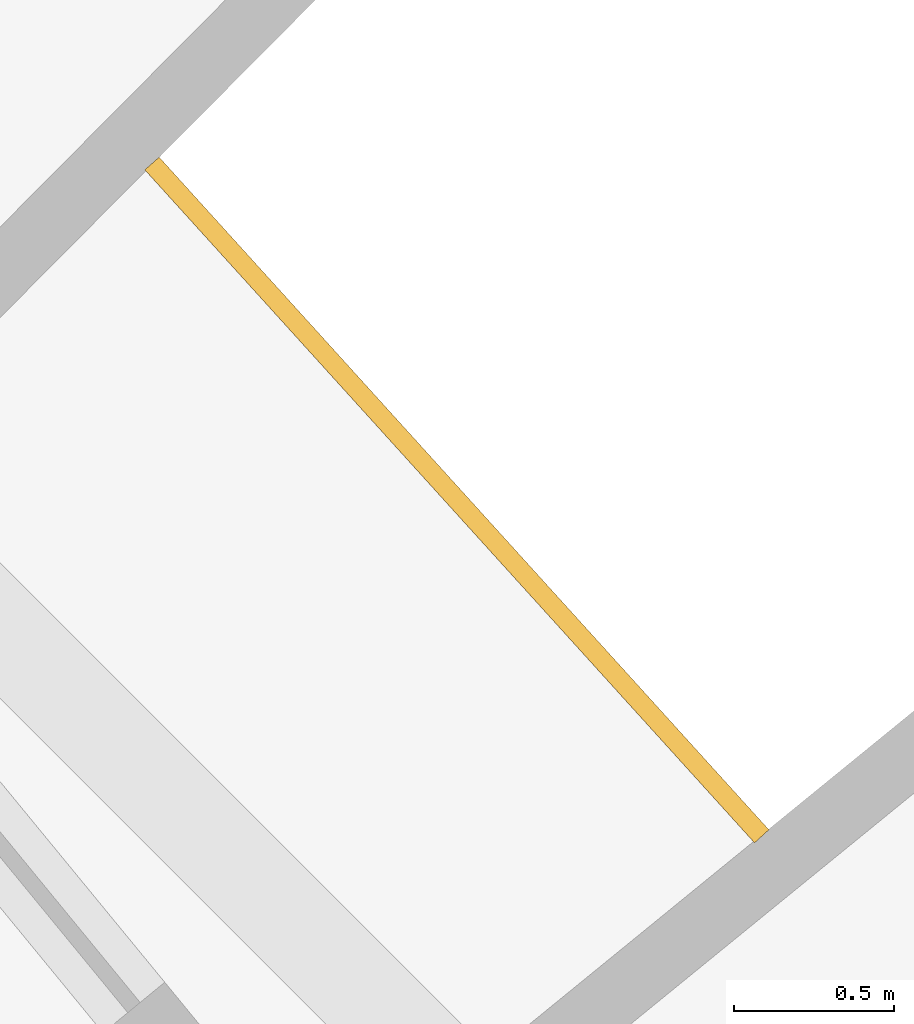
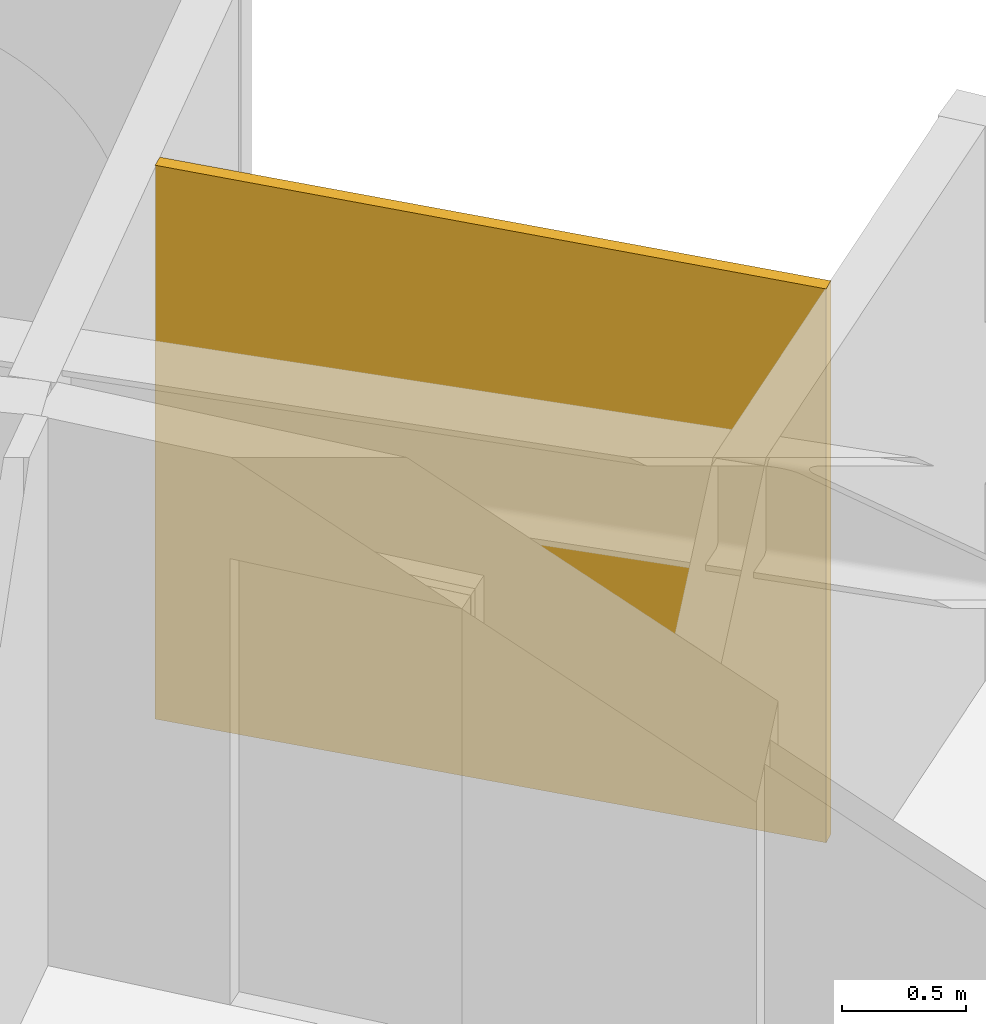
# One storey, part 26 of 26: 1 railing.
"""IFC4 building model written with IfcOpenShell, lengths in metres."""

import ifcopenshell
import ifcopenshell.guid

model = None  # the IFC model being written
_history = None  # IfcOwnerHistory: only IFC2X3 demands one
_inside = {}  # id of a spatial element -> (the spatial element, [elements in it])
_under = {}  # id of a project, library or spatial element -> (it, [spatial elements below it])
_declared = {}  # id of a project -> (the project, [libraries it declares])
_typed = {}  # id of a type object -> (the type object, [elements of that type])
_made_of = {}  # id of a material, layer set ... -> (it, [elements and type objects made of it])


def new_model(schema):
    """Start an empty IFC model of exactly this schema.

    Asked for "IFC4X3", IfcOpenShell would pick the latest addendum, in which some entities
    have other attributes; the version numbers below select the first issue.
    IFC2X3 requires an IfcOwnerHistory on every rooted entity: one is made here for all.
    """
    global model, _history
    if schema == "IFC4X3":
        model = ifcopenshell.file(schema_version=(4, 3, 0, 0))
    else:
        model = ifcopenshell.file(schema=schema)
    _inside.clear()
    _under.clear()
    _declared.clear()
    _typed.clear()
    _made_of.clear()
    _history = None
    if model.schema == "IFC2X3":
        org = make("IfcOrganization", Name="unknown")
        user = make(
            "IfcPersonAndOrganization",
            ThePerson=make("IfcPerson", FamilyName="unknown"),
            TheOrganization=org,
        )
        app = make(
            "IfcApplication",
            ApplicationDeveloper=org,
            Version="unknown",
            ApplicationFullName="unknown",
            ApplicationIdentifier="unknown",
        )
        _history = make(
            "IfcOwnerHistory",
            OwningUser=user,
            OwningApplication=app,
            ChangeAction="ADDED",
            CreationDate=0,
        )
    return model


def make(cls, **values):
    """One entity of the class cls with the attributes given. An attribute that is None is left unset."""
    return model.create_entity(
        cls, **{name: value for name, value in values.items() if value is not None}
    )


def rooted(cls, **values):
    """An entity with a GlobalId (a new one), such as an element, a storey or a relation."""
    return make(cls, GlobalId=ifcopenshell.guid.new(), OwnerHistory=_history, **values)


def si_unit(unit_type, name, prefix=None):
    """IfcSIUnit, for example si_unit("LENGTHUNIT", "METRE", prefix="MILLI")."""
    return make("IfcSIUnit", UnitType=unit_type, Prefix=prefix, Name=name)


def assignment(units):
    """IfcUnitAssignment: the units of a project."""
    return None if units is None else make("IfcUnitAssignment", Units=units)


def point(xyz):
    """IfcCartesianPoint."""
    return None if xyz is None else make("IfcCartesianPoint", Coordinates=xyz)


def direction(xyz):
    """IfcDirection."""
    return None if xyz is None else make("IfcDirection", DirectionRatios=xyz)


def frame(location, z_axis=None, x_axis=None):
    """IfcAxis2Placement3D, a coordinate frame: its origin and axes. An axis left out is left unset."""
    return make(
        "IfcAxis2Placement3D",
        Location=point(location),
        Axis=direction(z_axis),
        RefDirection=direction(x_axis),
    )


def origin():
    """The frame at (0, 0, 0) with its axes left unset."""
    return frame((0.0, 0.0, 0.0))


def place(relative_to, where):
    """IfcLocalPlacement: puts the frame where relative to a parent placement (None: the world)."""
    return make(
        "IfcLocalPlacement", PlacementRelTo=relative_to, RelativePlacement=where
    )


def context(
    kind, dimensions, precision=None, world=None, true_north=None, identifier=None
):
    """IfcGeometricRepresentationContext, for example the 3D "Model" context."""
    return make(
        "IfcGeometricRepresentationContext",
        ContextIdentifier=identifier,
        ContextType=kind,
        CoordinateSpaceDimension=dimensions,
        Precision=precision,
        WorldCoordinateSystem=world,
        TrueNorth=true_north,
    )


def subcontext(parent, identifier, kind, view, scale=None):
    """IfcGeometricRepresentationSubContext, for example "Body" below "Model"."""
    return make(
        "IfcGeometricRepresentationSubContext",
        ContextIdentifier=identifier,
        ContextType=kind,
        ParentContext=parent,
        TargetScale=scale,
        TargetView=view,
    )


def project(units=None, contexts=None):
    """IfcProject with its units and contexts."""
    return rooted(
        "IfcProject",
        Name="project",
        RepresentationContexts=contexts,
        UnitsInContext=assignment(units),
    )


def spatial(cls, under=None, at=None, **own):
    """A site, building, storey or space (cls), placed at a placement, below another one or the project."""
    s = rooted(cls, ObjectPlacement=at, **own)
    if under is not None:
        _under.setdefault(under.id(), (under, []))[1].append(s)
    return s


def polyline(points):
    """IfcPolyline through the points."""
    return make("IfcPolyline", Points=[point(p) for p in points])


def outline(outer, holes=None, kind="AREA"):
    """IfcArbitraryClosedProfileDef: a profile drawn as a closed curve; with holes, ...WithVoids."""
    if holes is None:
        return make("IfcArbitraryClosedProfileDef", ProfileType=kind, OuterCurve=outer)
    return make(
        "IfcArbitraryProfileDefWithVoids",
        ProfileType=kind,
        OuterCurve=outer,
        InnerCurves=holes,
    )


def extrude(swept, where, along, depth):
    """IfcExtrudedAreaSolid: the profile swept, set in the frame where, extruded along a direction by depth."""
    return make(
        "IfcExtrudedAreaSolid",
        SweptArea=swept,
        Position=where,
        ExtrudedDirection=direction(along),
        Depth=depth,
    )


def shape(context_of_items, identifier, shape_type, items):
    """IfcShapeRepresentation: the items that make up one representation, for example the "Body"."""
    return make(
        "IfcShapeRepresentation",
        ContextOfItems=context_of_items,
        RepresentationIdentifier=identifier,
        RepresentationType=shape_type,
        Items=items,
    )


def material(Name=None, Category=None):
    """IfcMaterial."""
    return make("IfcMaterial", Name=Name, Category=Category)


def layer(
    of_material, thickness, ventilated=None, Name=None, Category=None, Priority=None
):
    """IfcMaterialLayer: one layer of a wall or slab, of a material (None: an air gap)."""
    return make(
        "IfcMaterialLayer",
        Material=of_material,
        LayerThickness=thickness,
        IsVentilated=ventilated,
        Name=Name,
        Category=Category,
        Priority=Priority,
    )


def layer_set(layers, Name=None):
    """IfcMaterialLayerSet."""
    return make("IfcMaterialLayerSet", MaterialLayers=layers, LayerSetName=Name)


def made_of(thing, what):
    """Note that an element or type object is made of a material, layer set ...; save() writes the relation."""
    if what is not None:
        _made_of.setdefault(what.id(), (what, []))[1].append(thing)
    return thing


def type_object(cls, material=None, **own):
    """A type object (cls), such as IfcWallType, which elements share."""
    return made_of(rooted(cls, **own), material)


def element(
    cls,
    number,
    at=None,
    inside=None,
    cuts=None,
    type_object=None,
    material=None,
    context=None,
    identifier="Body",
    shape_type=None,
    held_by="IfcProductDefinitionShape",
    body=None,
    shapes=None,
    **own,
):
    """One element of the class cls, such as IfcWall. Its Tag is "e" and its number.

    at: its placement. inside: the storey or other place that contains it. cuts: it is an
    opening in that element (IfcRelVoidsElement). A single representation is given by context,
    identifier, shape_type and body (its items); several are given by shapes. held_by: the class
    of the entity that holds the representations. save() writes the other relations.
    """
    e = rooted(cls, Tag="e%d" % number, ObjectPlacement=at, **own)
    if body is not None:
        shapes = [shape(context, identifier, shape_type, body)]
    if shapes is not None:
        e.Representation = make(held_by, Representations=shapes)
    if inside is not None:
        _inside.setdefault(inside.id(), (inside, []))[1].append(e)
    if cuts is not None:
        rooted(
            "IfcRelVoidsElement", RelatingBuildingElement=cuts, RelatedOpeningElement=e
        )
    if type_object is not None:
        _typed.setdefault(type_object.id(), (type_object, []))[1].append(e)
    return made_of(e, material)


def aggregate(whole, parts):
    """IfcRelAggregates: a whole, such as a stair, and the parts it consists of."""
    return rooted("IfcRelAggregates", RelatingObject=whole, RelatedObjects=parts)


def save(model, path):
    """Write the relations noted so far, then the file.

    IfcRelAggregates (storeys below a building ...), IfcRelContainedInSpatialStructure (elements
    in a storey), IfcRelDefinesByType, IfcRelAssociatesMaterial and IfcRelDeclares: one each for
    every whole, place, type object, material and project.
    """
    for whole, parts in _under.values():
        aggregate(whole, parts)
    for where, things in _inside.values():
        rooted(
            "IfcRelContainedInSpatialStructure",
            RelatedElements=things,
            RelatingStructure=where,
        )
    for kind, things in _typed.values():
        rooted("IfcRelDefinesByType", RelatedObjects=things, RelatingType=kind)
    for what, things in _made_of.values():
        rooted("IfcRelAssociatesMaterial", RelatedObjects=things, RelatingMaterial=what)
    for by, libraries in _declared.values():
        rooted("IfcRelDeclares", RelatingContext=by, RelatedDefinitions=libraries)
    model.write(path)


model = new_model("IFC4")

# Units and contexts
model_context = context("Model", 3, precision=1e-05, world=origin(), true_north=direction((0.0, 1.0)))
body_context = subcontext(model_context, "Body", "Model", "MODEL_VIEW")
ifc_project = project(units=[si_unit("LENGTHUNIT", "METRE"), si_unit("AREAUNIT", "SQUARE_METRE"), si_unit("VOLUMEUNIT", "CUBIC_METRE"), si_unit("PLANEANGLEUNIT", "RADIAN"), si_unit("MASSUNIT", "GRAM", prefix="KILO")], contexts=[model_context])

# Site, building, storey
site_placement = place(None, origin())
site = spatial("IfcSite", under=ifc_project, at=site_placement, CompositionType="ELEMENT")
building_placement = place(site_placement, origin())
building = spatial("IfcBuilding", under=site, at=building_placement, Name="Maasbend Ring Residences", CompositionType="ELEMENT")
storey_placement = place(building_placement, frame((0.0, 0.0, 22.800048828125)))
storey = spatial("IfcBuildingStorey", under=building, at=storey_placement, Name="L05", CompositionType="ELEMENT", Elevation=22.800048828125)

# Railing
ifc_material = material(Name="Pale anodised perforated aluminium", Category="aluminium")
ifc_layer = layer(ifc_material, 0.06005859375)
ifc_layer_set = layer_set([ifc_layer], Name="SCREEN-P")
railing_type = type_object("IfcRailingType", Name="SCREEN-P", PredefinedType="GUARDRAIL", material=ifc_layer_set)
railing_placement = place(storey_placement, frame((0.0, 0.0, -0.030029296875)))
element("IfcRailing", 1, at=railing_placement, inside=storey, type_object=railing_type, Name="Perforated screen guard 1", PredefinedType="GUARDRAIL", context=body_context, shape_type="SweptSolid", body=[
    extrude(outline(polyline([(22.4169921875, 18.39697265625), (20.506103515625, 20.506103515625), (20.551025390625, 20.5458984375), (22.4619140625, 18.43798828125), (22.4169921875, 18.39697265625)])), origin(), (0.0, 0.0, 1.0), 2.72998046875),
])

save(model, "model.ifc")
